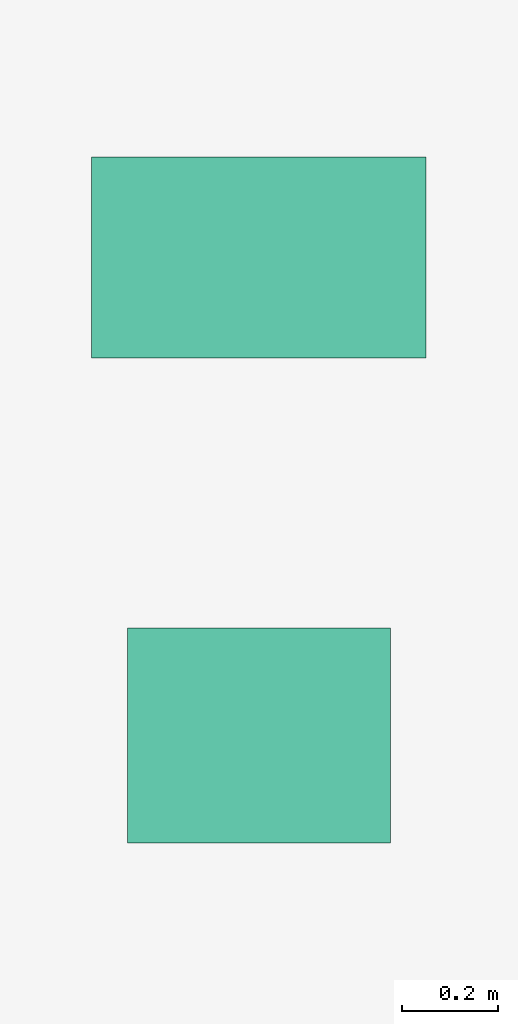
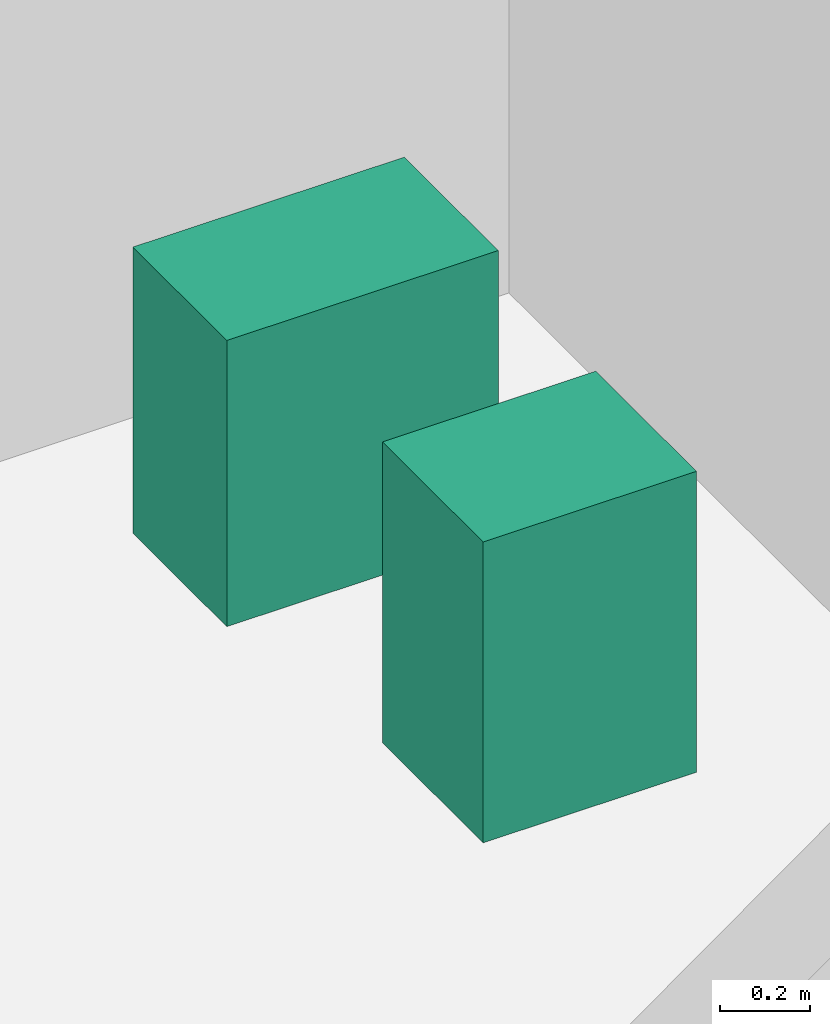
# One storey, part 32 of 32: 2 sanitary terminals.
"""IFC4 building model written with IfcOpenShell, lengths in metres."""

from ifc_helpers import new_model, si_unit, direction, frame, origin, origin_2d, place, context, subcontext, project, spatial, rectangle, extrude, source, transform, mapped, material, type_object, element, save


model = new_model("IFC4")

# Units and contexts
model_context = context("Model", 3, precision=1e-05, world=origin(), true_north=direction((0.0, 1.0)))
body_context = subcontext(model_context, "Body", "Model", "MODEL_VIEW")
ifc_project = project(units=[si_unit("LENGTHUNIT", "METRE"), si_unit("AREAUNIT", "SQUARE_METRE"), si_unit("VOLUMEUNIT", "CUBIC_METRE"), si_unit("PLANEANGLEUNIT", "RADIAN"), si_unit("MASSUNIT", "GRAM", prefix="KILO")], contexts=[model_context])

# Site, building, storey
site_placement = place(None, origin())
site = spatial("IfcSite", under=ifc_project, at=site_placement, CompositionType="ELEMENT")
building_placement = place(site_placement, origin())
building = spatial("IfcBuilding", under=site, at=building_placement, Name="Sumidabori Civic Tower", CompositionType="ELEMENT")
storey_placement = place(building_placement, frame((0.0, 0.0, 48.800048828125)))
storey = spatial("IfcBuildingStorey", under=building, at=storey_placement, Name="L12", CompositionType="ELEMENT", Elevation=48.800048828125)

# Sanitary terminals
ifc_material = material(Name="Vitreous Sanitary Porcelain")
sanitary_terminal_type_1 = type_object("IfcSanitaryTerminalType", Name="SN-WC-1", PredefinedType="TOILETPAN", material=ifc_material)
shared_shape_1 = source(origin(), body_context, "Body", "SweptSolid", [
    extrude(rectangle(XDim=0.699951171875, YDim=0.419921875, at=origin_2d()), origin(), (0.0, 0.0, 1.0), 0.780029296875),
])
sanitary_terminal_1_placement = place(storey_placement, frame((10.800048828125, 21.85009765625, 0.0), z_axis=(0.0, 0.0, 1.0), x_axis=(1.0, 0.0, 0.0)))
element("IfcSanitaryTerminal", 1, at=sanitary_terminal_1_placement, inside=storey, type_object=sanitary_terminal_type_1, Name="Accessible WC Pan L12", PredefinedType="TOILETPAN", context=body_context, shape_type="MappedRepresentation", body=[
    mapped(shared_shape_1, transform((0.0, 0.0, 0.0), x_axis=(1.0, 0.0, 0.0), y_axis=(0.0, 1.0, 0.0), z_axis=(0.0, 0.0, 1.0), scale=1.0)),
])
sanitary_terminal_type_2 = type_object("IfcSanitaryTerminalType", Name="SN-BAS-1", PredefinedType="WASHHANDBASIN", material=ifc_material)
shared_shape_2 = source(origin(), body_context, "Body", "SweptSolid", [
    extrude(rectangle(XDim=0.550048828125, YDim=0.449951171875, at=origin_2d()), origin(), (0.0, 0.0, 1.0), 0.820068359375),
])
sanitary_terminal_2_placement = place(storey_placement, frame((10.800048828125, 20.85009765625, 0.0), z_axis=(0.0, 0.0, 1.0), x_axis=(1.0, 0.0, 0.0)))
element("IfcSanitaryTerminal", 2, at=sanitary_terminal_2_placement, inside=storey, type_object=sanitary_terminal_type_2, Name="Accessible Basin L12", PredefinedType="WASHHANDBASIN", context=body_context, shape_type="MappedRepresentation", body=[
    mapped(shared_shape_2, transform((0.0, 0.0, 0.0), x_axis=(1.0, 0.0, 0.0), y_axis=(0.0, 1.0, 0.0), z_axis=(0.0, 0.0, 1.0), scale=1.0)),
])

save(model, "model.ifc")
